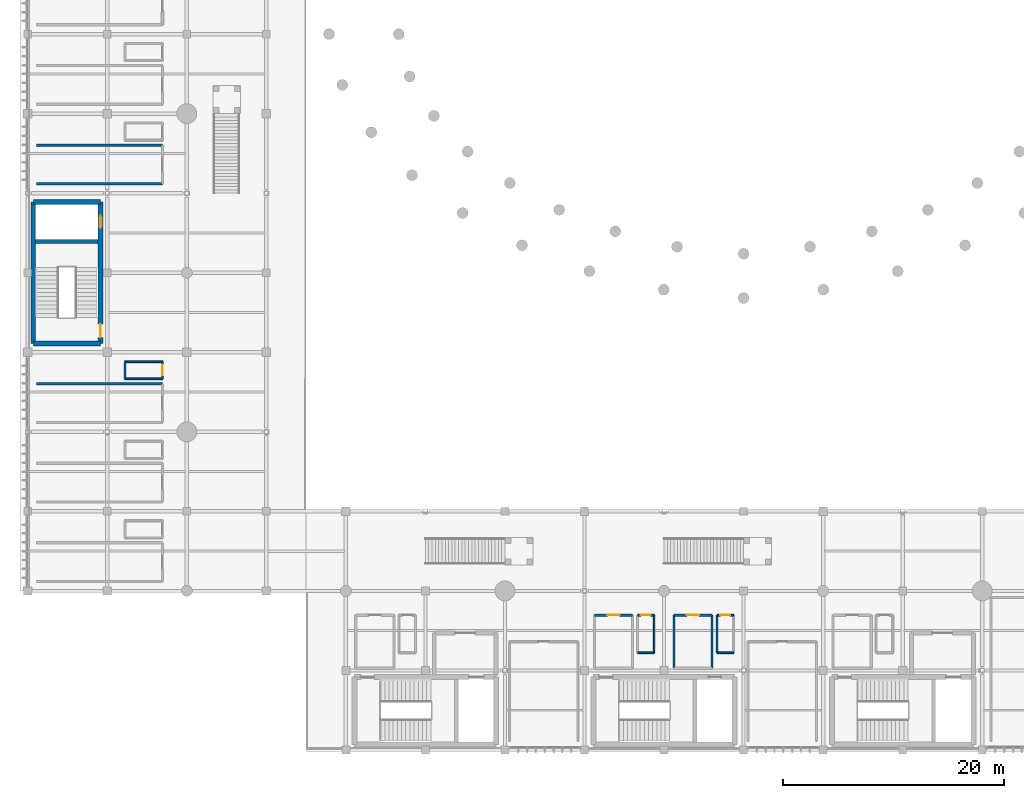
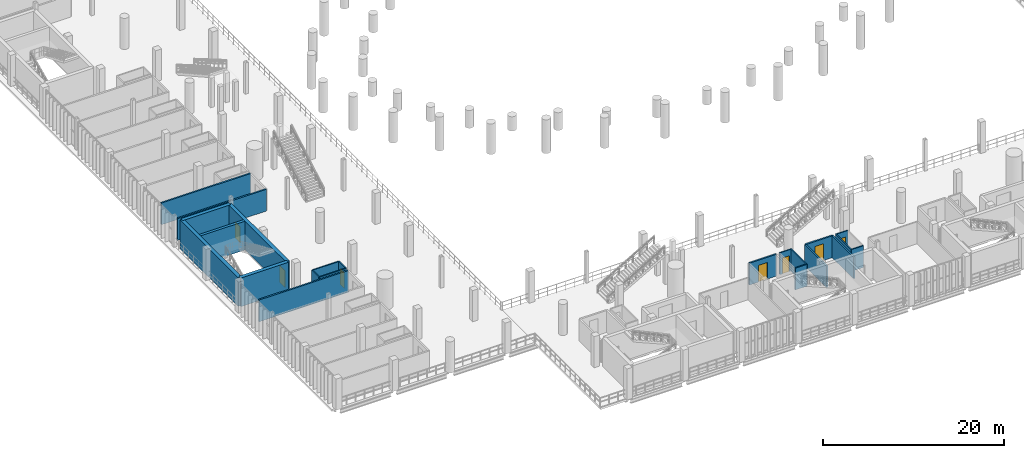
# One storey, part 102 of 130: 22 walls, 7 doors, 7 openings.
"""IFC4 building model written with IfcOpenShell, lengths in metres."""

from ifc_helpers import new_model, si_unit, direction, frame, frame_2d, origin, place, context, subcontext, project, spatial, rectangle, extrude, material, layer, layer_set, type_object, element, fill, save


model = new_model("IFC4")

# Units and contexts
model_context = context("Model", 3, precision=1e-05, world=origin(), true_north=direction((0.0, 1.0)))
body_context = subcontext(model_context, "Body", "Model", "MODEL_VIEW")
ifc_project = project(units=[si_unit("LENGTHUNIT", "METRE"), si_unit("AREAUNIT", "SQUARE_METRE"), si_unit("VOLUMEUNIT", "CUBIC_METRE"), si_unit("PLANEANGLEUNIT", "RADIAN"), si_unit("MASSUNIT", "GRAM", prefix="KILO")], contexts=[model_context])

# Site, building, storey
site_placement = place(None, origin())
site = spatial("IfcSite", under=ifc_project, at=site_placement, CompositionType="ELEMENT")
building_placement = place(site_placement, origin())
building = spatial("IfcBuilding", under=site, at=building_placement, Name="Qandorah Velis Arena", CompositionType="ELEMENT")
storey_placement = place(building_placement, frame((0.0, 0.0, 9.60009765625)))
storey = spatial("IfcBuildingStorey", under=building, at=storey_placement, Name="L02", CompositionType="ELEMENT", Elevation=9.60009765625)

# Walls
ifc_material_1 = material(Name="Concrete C35/45", Category="concrete")
ifc_layer_1 = layer(ifc_material_1, 0.199951171875)
ifc_layer_set_1 = layer_set([ifc_layer_1], Name="Concrete C35/45")
wall_type_1 = type_object("IfcWallType", Name="ARC-WAL-FD60-200", PredefinedType="PARTITIONING", material=ifc_layer_set_1)
for number, where, z_axis, x_axis, name in (
    (1, (12.199951171875, 33.14990234375, 0.0), (0.0, 0.0, 1.0), (-1.0, 0.0, 0.0), "Interior partition L02-HS-03 (N)"),
    (2, (0.800048828125, 51.25, 0.0), (0.0, 0.0, 1.0), (1.0, 0.0, 0.0), "Interior partition L02-HS-04 (S)"),
    (3, (12.199951171875, 54.75, 0.0), (0.0, 0.0, 1.0), (-1.0, 0.0, 0.0), "Interior partition L02-HS-04 (N)"),
):
    element("IfcWall", number, at=place(storey_placement, frame(where, z_axis=z_axis, x_axis=x_axis)), inside=storey, type_object=wall_type_1, Name=name, PredefinedType="PARTITIONING", context=body_context, shape_type="SweptSolid", body=[
        extrude(rectangle(XDim=11.39990234375, YDim=0.199951171875, at=frame_2d((5.699951171875, 0.0))), origin(), (0.0, 0.0, 1.0), 2.93994140625),
    ])

# Wall, opening, door
wall_1_placement = place(storey_placement, frame((54.75, 12.199951171875, 0.0), z_axis=(0.0, 0.0, 1.0), x_axis=(-1.0, 0.0, 0.0)))
wall_1 = element("IfcWall", 4, at=wall_1_placement, inside=storey, type_object=wall_type_1, Name="Interior partition L02-HS-12 (N)", PredefinedType="PARTITIONING", context=body_context, shape_type="SweptSolid", body=[
    extrude(rectangle(XDim=3.449951171875, YDim=0.199951171875, at=frame_2d((1.72509765625, 0.0))), origin(), (0.0, 0.0, 1.0), 2.93994140625),
])
opening_1_placement = place(wall_1_placement, frame((1.175048828125, 0.0, 0.0)))
opening_1 = element("IfcOpeningElement", 5, at=opening_1_placement, cuts=wall_1, Name="Opening D7", PredefinedType="OPENING", context=body_context, shape_type="SweptSolid", body=[
    extrude(rectangle(XDim=1.10009765625, YDim=2.25, at=frame_2d((0.550048828125, 1.125))), frame((0.0, 0.10986328125, 0.0), z_axis=(0.0, -1.0, 0.0), x_axis=(1.0, 0.0, 0.0)), (0.0, 0.0, 1.0), 0.219970703125),
])
ifc_material_2 = material(Name="Hospitality suite acoustic walnut door")
door_type_1 = type_object("IfcDoorType", Name="ARC-DR-INT1100", OperationType="NOTDEFINED", PredefinedType="DOOR", material=ifc_material_2)
door_1_placement = place(opening_1_placement, origin())
door_1 = element("IfcDoor", 6, at=door_1_placement, inside=storey, type_object=door_type_1, Name="Door L02-HS-12", OperationType="SINGLE_SWING_LEFT", OverallHeight=2.25, OverallWidth=1.10009765625, PredefinedType="DOOR", context=body_context, shape_type="SweptSolid", body=[
    extrude(rectangle(XDim=1.10009765625, YDim=2.25, at=frame_2d((0.550048828125, 1.125))), frame((0.0, 0.02490234375, 0.0), z_axis=(0.0, -1.0, 0.0), x_axis=(1.0, 0.0, 0.0)), (0.0, 0.0, 1.0), 0.050048828125),
])
fill(opening_1, door_1)

# Wall
wall_2_placement = place(storey_placement, frame((61.949951171875, 7.39990234375, 0.0), z_axis=(0.0, 0.0, 1.0), x_axis=(0.0, 1.0, 0.0)))
element("IfcWall", 7, at=wall_2_placement, inside=storey, type_object=wall_type_1, Name="Interior partition L02-HS-13 (E)", PredefinedType="PARTITIONING", context=body_context, shape_type="SweptSolid", body=[
    extrude(rectangle(XDim=4.800048828125, YDim=0.199951171875, at=frame_2d((2.39990234375, 0.0))), origin(), (0.0, 0.0, 1.0), 2.93994140625),
])

# Wall, opening, door
wall_3_placement = place(storey_placement, frame((61.949951171875, 12.199951171875, 0.0), z_axis=(0.0, 0.0, 1.0), x_axis=(-1.0, 0.0, 0.0)))
wall_3 = element("IfcWall", 8, at=wall_3_placement, inside=storey, type_object=wall_type_1, Name="Interior partition L02-HS-13 (N)", PredefinedType="PARTITIONING", context=body_context, shape_type="SweptSolid", body=[
    extrude(rectangle(XDim=3.449951171875, YDim=0.199951171875, at=frame_2d((1.72509765625, 0.0))), origin(), (0.0, 0.0, 1.0), 2.93994140625),
])
opening_2_placement = place(wall_3_placement, frame((1.175048828125, 0.0, 0.0)))
opening_2 = element("IfcOpeningElement", 9, at=opening_2_placement, cuts=wall_3, Name="Opening D7", PredefinedType="OPENING", context=body_context, shape_type="SweptSolid", body=[
    extrude(rectangle(XDim=1.10009765625, YDim=2.25, at=frame_2d((0.550048828125, 1.125))), frame((0.0, 0.10986328125, 0.0), z_axis=(0.0, -1.0, 0.0), x_axis=(1.0, 0.0, 0.0)), (0.0, 0.0, 1.0), 0.219970703125),
])
door_2_placement = place(opening_2_placement, origin())
door_2 = element("IfcDoor", 10, at=door_2_placement, inside=storey, type_object=door_type_1, Name="Door L02-HS-13", OperationType="SINGLE_SWING_LEFT", OverallHeight=2.25, OverallWidth=1.10009765625, PredefinedType="DOOR", context=body_context, shape_type="SweptSolid", body=[
    extrude(rectangle(XDim=1.10009765625, YDim=2.25, at=frame_2d((0.550048828125, 1.125))), frame((0.0, 0.02490234375, 0.0), z_axis=(0.0, -1.0, 0.0), x_axis=(1.0, 0.0, 0.0)), (0.0, 0.0, 1.0), 0.050048828125),
])
fill(opening_2, door_2)

# Walls
wall_4_placement = place(storey_placement, frame((58.5, 12.199951171875, 0.0), z_axis=(0.0, 0.0, 1.0), x_axis=(0.0, -1.0, 0.0)))
element("IfcWall", 11, at=wall_4_placement, inside=storey, type_object=wall_type_1, Name="Interior partition L02-HS-13 (W)", PredefinedType="PARTITIONING", context=body_context, shape_type="SweptSolid", body=[
    extrude(rectangle(XDim=4.800048828125, YDim=0.199951171875, at=frame_2d((2.39990234375, 0.0))), origin(), (0.0, 0.0, 1.0), 2.93994140625),
])
ifc_layer_2 = layer(ifc_material_1, 0.14990234375)
ifc_layer_set_2 = layer_set([ifc_layer_2], Name="Concrete C35/45")
wall_type_2 = type_object("IfcWallType", Name="ARC-WAL-PART150", PredefinedType="PARTITIONING", material=ifc_layer_set_2)
wall_5_placement = place(storey_placement, frame((8.800048828125, 33.60009765625, 0.0), z_axis=(0.0, 0.0, 1.0), x_axis=(1.0, 0.0, 0.0)))
element("IfcWall", 12, at=wall_5_placement, inside=storey, type_object=wall_type_2, Name="Interior partition L02-HSWC-03 (S)", PredefinedType="PARTITIONING", context=body_context, shape_type="SweptSolid", body=[
    extrude(rectangle(XDim=3.39990234375, YDim=0.14990234375, at=frame_2d((1.699951171875, 0.0))), origin(), (0.0, 0.0, 1.0), 2.93994140625),
])

# Wall, opening, door
wall_6_placement = place(storey_placement, frame((12.199951171875, 33.60009765625, 0.0), z_axis=(0.0, 0.0, 1.0), x_axis=(0.0, 1.0, 0.0)))
wall_6 = element("IfcWall", 13, at=wall_6_placement, inside=storey, type_object=wall_type_2, Name="Interior partition L02-HSWC-03 (E)", PredefinedType="PARTITIONING", context=body_context, shape_type="SweptSolid", body=[
    extrude(rectangle(XDim=1.5498046875, YDim=0.14990234375, at=frame_2d((0.77490234375, 0.0))), origin(), (0.0, 0.0, 1.0), 2.93994140625),
])
opening_3_placement = place(wall_6_placement, frame((0.324951171875, 0.0, 0.0)))
opening_3 = element("IfcOpeningElement", 14, at=opening_3_placement, cuts=wall_6, Name="Opening D8", PredefinedType="OPENING", context=body_context, shape_type="SweptSolid", body=[
    extrude(rectangle(XDim=0.89990234375, YDim=2.14990234375, at=frame_2d((0.449951171875, 1.074951171875))), frame((0.0, 0.0849609375, 0.0), z_axis=(0.0, -1.0, 0.0), x_axis=(1.0, 0.0, 0.0)), (0.0, 0.0, 1.0), 0.169921875),
])
ifc_material_3 = material(Name="Suite en-suite walnut door")
door_type_2 = type_object("IfcDoorType", Name="ARC-DR-WC900", OperationType="NOTDEFINED", PredefinedType="DOOR", material=ifc_material_3)
door_3_placement = place(opening_3_placement, frame((0.89990234375, 0.0, 0.0), z_axis=(0.0, 0.0, 1.0), x_axis=(-1.0, 0.0, 0.0)))
door_3 = element("IfcDoor", 15, at=door_3_placement, inside=storey, type_object=door_type_2, Name="Door L02-HSWC-03", OperationType="SINGLE_SWING_RIGHT", OverallHeight=2.14990234375, OverallWidth=0.89990234375, PredefinedType="DOOR", context=body_context, shape_type="SweptSolid", body=[
    extrude(rectangle(XDim=0.89990234375, YDim=2.14990234375, at=frame_2d((0.449951171875, 1.074951171875))), frame((0.0, 0.02490234375, 0.0), z_axis=(0.0, -1.0, 0.0), x_axis=(1.0, 0.0, 0.0)), (0.0, 0.0, 1.0), 0.050048828125),
])
fill(opening_3, door_3)

# Walls
wall_7_placement = place(storey_placement, frame((12.199951171875, 35.14990234375, 0.0), z_axis=(0.0, 0.0, 1.0), x_axis=(-1.0, 0.0, 0.0)))
element("IfcWall", 16, at=wall_7_placement, inside=storey, type_object=wall_type_2, Name="Interior partition L02-HSWC-03 (N)", PredefinedType="PARTITIONING", context=body_context, shape_type="SweptSolid", body=[
    extrude(rectangle(XDim=3.39990234375, YDim=0.14990234375, at=frame_2d((1.699951171875, 0.0))), origin(), (0.0, 0.0, 1.0), 2.93994140625),
])
wall_8_placement = place(storey_placement, frame((8.800048828125, 35.14990234375, 0.0), z_axis=(0.0, 0.0, 1.0), x_axis=(0.0, -1.0, 0.0)))
element("IfcWall", 17, at=wall_8_placement, inside=storey, type_object=wall_type_2, Name="Interior partition L02-HSWC-03 (W)", PredefinedType="PARTITIONING", context=body_context, shape_type="SweptSolid", body=[
    extrude(rectangle(XDim=1.5498046875, YDim=0.14990234375, at=frame_2d((0.77490234375, 0.0))), origin(), (0.0, 0.0, 1.0), 2.93994140625),
])
wall_9_placement = place(storey_placement, frame((55.199951171875, 8.800048828125, 0.0), z_axis=(0.0, 0.0, 1.0), x_axis=(1.0, 0.0, 0.0)))
element("IfcWall", 18, at=wall_9_placement, inside=storey, type_object=wall_type_2, Name="Interior partition L02-HSWC-12 (S)", PredefinedType="PARTITIONING", context=body_context, shape_type="SweptSolid", body=[
    extrude(rectangle(XDim=1.5, YDim=0.14990234375, at=frame_2d((0.75, 0.0))), origin(), (0.0, 0.0, 1.0), 2.93994140625),
])
wall_10_placement = place(storey_placement, frame((56.699951171875, 8.800048828125, 0.0), z_axis=(0.0, 0.0, 1.0), x_axis=(0.0, 1.0, 0.0)))
element("IfcWall", 19, at=wall_10_placement, inside=storey, type_object=wall_type_2, Name="Interior partition L02-HSWC-12 (E)", PredefinedType="PARTITIONING", context=body_context, shape_type="SweptSolid", body=[
    extrude(rectangle(XDim=3.39990234375, YDim=0.14990234375, at=frame_2d((1.699951171875, 0.0))), origin(), (0.0, 0.0, 1.0), 2.93994140625),
])

# Wall, opening, door
wall_11_placement = place(storey_placement, frame((56.699951171875, 12.199951171875, 0.0), z_axis=(0.0, 0.0, 1.0), x_axis=(-1.0, 0.0, 0.0)))
wall_11 = element("IfcWall", 20, at=wall_11_placement, inside=storey, type_object=wall_type_2, Name="Interior partition L02-HSWC-12 (N)", PredefinedType="PARTITIONING", context=body_context, shape_type="SweptSolid", body=[
    extrude(rectangle(XDim=1.5, YDim=0.14990234375, at=frame_2d((0.75, 0.0))), origin(), (0.0, 0.0, 1.0), 2.93994140625),
])
opening_4_placement = place(wall_11_placement, frame((0.300048828125, 0.0, 0.0)))
opening_4 = element("IfcOpeningElement", 21, at=opening_4_placement, cuts=wall_11, Name="Opening D8", PredefinedType="OPENING", context=body_context, shape_type="SweptSolid", body=[
    extrude(rectangle(XDim=0.89990234375, YDim=2.14990234375, at=frame_2d((0.449951171875, 1.074951171875))), frame((0.0, 0.0849609375, 0.0), z_axis=(0.0, -1.0, 0.0), x_axis=(1.0, 0.0, 0.0)), (0.0, 0.0, 1.0), 0.169921875),
])
door_4_placement = place(opening_4_placement, frame((0.89990234375, 0.0, 0.0), z_axis=(0.0, 0.0, 1.0), x_axis=(-1.0, 0.0, 0.0)))
door_4 = element("IfcDoor", 22, at=door_4_placement, inside=storey, type_object=door_type_2, Name="Door L02-HSWC-12", OperationType="SINGLE_SWING_RIGHT", OverallHeight=2.14990234375, OverallWidth=0.89990234375, PredefinedType="DOOR", context=body_context, shape_type="SweptSolid", body=[
    extrude(rectangle(XDim=0.89990234375, YDim=2.14990234375, at=frame_2d((0.449951171875, 1.074951171875))), frame((0.0, 0.02490234375, 0.0), z_axis=(0.0, -1.0, 0.0), x_axis=(1.0, 0.0, 0.0)), (0.0, 0.0, 1.0), 0.050048828125),
])
fill(opening_4, door_4)

# Wall
wall_12_placement = place(storey_placement, frame((62.39990234375, 8.800048828125, 0.0), z_axis=(0.0, 0.0, 1.0), x_axis=(1.0, 0.0, 0.0)))
element("IfcWall", 23, at=wall_12_placement, inside=storey, type_object=wall_type_2, Name="Interior partition L02-HSWC-13 (S)", PredefinedType="PARTITIONING", context=body_context, shape_type="SweptSolid", body=[
    extrude(rectangle(XDim=1.5, YDim=0.14990234375, at=frame_2d((0.75, 0.0))), origin(), (0.0, 0.0, 1.0), 2.93994140625),
])

# Wall, opening, door
wall_13_placement = place(storey_placement, frame((63.89990234375, 12.199951171875, 0.0), z_axis=(0.0, 0.0, 1.0), x_axis=(-1.0, 0.0, 0.0)))
wall_13 = element("IfcWall", 24, at=wall_13_placement, inside=storey, type_object=wall_type_2, Name="Interior partition L02-HSWC-13 (N)", PredefinedType="PARTITIONING", context=body_context, shape_type="SweptSolid", body=[
    extrude(rectangle(XDim=1.5, YDim=0.14990234375, at=frame_2d((0.75, 0.0))), origin(), (0.0, 0.0, 1.0), 2.93994140625),
])
opening_5_placement = place(wall_13_placement, frame((0.300048828125, 0.0, 0.0)))
opening_5 = element("IfcOpeningElement", 25, at=opening_5_placement, cuts=wall_13, Name="Opening D8", PredefinedType="OPENING", context=body_context, shape_type="SweptSolid", body=[
    extrude(rectangle(XDim=0.89990234375, YDim=2.14990234375, at=frame_2d((0.449951171875, 1.074951171875))), frame((0.0, 0.0849609375, 0.0), z_axis=(0.0, -1.0, 0.0), x_axis=(1.0, 0.0, 0.0)), (0.0, 0.0, 1.0), 0.169921875),
])
door_5_placement = place(opening_5_placement, frame((0.89990234375, 0.0, 0.0), z_axis=(0.0, 0.0, 1.0), x_axis=(-1.0, 0.0, 0.0)))
door_5 = element("IfcDoor", 26, at=door_5_placement, inside=storey, type_object=door_type_2, Name="Door L02-HSWC-13", OperationType="SINGLE_SWING_RIGHT", OverallHeight=2.14990234375, OverallWidth=0.89990234375, PredefinedType="DOOR", context=body_context, shape_type="SweptSolid", body=[
    extrude(rectangle(XDim=0.89990234375, YDim=2.14990234375, at=frame_2d((0.449951171875, 1.074951171875))), frame((0.0, 0.02490234375, 0.0), z_axis=(0.0, -1.0, 0.0), x_axis=(1.0, 0.0, 0.0)), (0.0, 0.0, 1.0), 0.050048828125),
])
fill(opening_5, door_5)

# Walls
wall_14_placement = place(storey_placement, frame((62.39990234375, 12.199951171875, 0.0), z_axis=(0.0, 0.0, 1.0), x_axis=(0.0, -1.0, 0.0)))
element("IfcWall", 27, at=wall_14_placement, inside=storey, type_object=wall_type_2, Name="Interior partition L02-HSWC-13 (W)", PredefinedType="PARTITIONING", context=body_context, shape_type="SweptSolid", body=[
    extrude(rectangle(XDim=3.39990234375, YDim=0.14990234375, at=frame_2d((1.699951171875, 0.0))), origin(), (0.0, 0.0, 1.0), 2.93994140625),
])
ifc_material_4 = material(Name="Concrete C40/50", Category="concrete")
ifc_layer_3 = layer(ifc_material_4, 0.449951171875)
ifc_layer_set_3 = layer_set([ifc_layer_3], Name="Concrete C40/50")
wall_type_3 = type_object("IfcWallType", Name="STR-WAL-CORE450", PredefinedType="SHEAR", material=ifc_layer_set_3)
for number, where, z_axis, x_axis, name in (
    (28, (0.5, 36.800048828125, 0.0), (0.0, 0.0, 1.0), (1.0, 0.0, 0.0), "Core CORE-05 shear wall S (L02)"),
    (29, (0.5, 49.60009765625, 0.0), (0.0, 0.0, 1.0), (1.0, 0.0, 0.0), "Core CORE-05 shear wall N (L02)"),
):
    element("IfcWall", number, at=place(storey_placement, frame(where, z_axis=z_axis, x_axis=x_axis)), inside=storey, type_object=wall_type_3, Name=name, PredefinedType="SHEAR", context=body_context, shape_type="SweptSolid", body=[
        extrude(rectangle(XDim=6.10009765625, YDim=0.449951171875, at=frame_2d((3.050048828125, 0.0))), origin(), (0.0, 0.0, 1.0), 3.8798828125),
    ])
wall_15_placement = place(storey_placement, frame((0.5, 36.800048828125, 0.0), z_axis=(0.0, 0.0, 1.0), x_axis=(0.0, 1.0, 0.0)))
element("IfcWall", 30, at=wall_15_placement, inside=storey, type_object=wall_type_3, Name="Core CORE-05 shear wall W (L02)", PredefinedType="SHEAR", context=body_context, shape_type="SweptSolid", body=[
    extrude(rectangle(XDim=12.800048828125, YDim=0.449951171875, at=frame_2d((6.39990234375, 0.0))), origin(), (0.0, 0.0, 1.0), 3.8798828125),
])

# Wall, openings, doors
wall_16_placement = place(storey_placement, frame((6.60009765625, 36.800048828125, 0.0), z_axis=(0.0, 0.0, 1.0), x_axis=(0.0, 1.0, 0.0)))
wall_16 = element("IfcWall", 31, at=wall_16_placement, inside=storey, type_object=wall_type_3, Name="Core CORE-05 shear wall E (L02)", PredefinedType="SHEAR", context=body_context, shape_type="SweptSolid", body=[
    extrude(rectangle(XDim=12.800048828125, YDim=0.449951171875, at=frame_2d((6.39990234375, 0.0))), origin(), (0.0, 0.0, 1.0), 3.8798828125),
])
opening_6_placement = place(wall_16_placement, frame((0.550048828125, 0.0, 0.0)))
opening_6 = element("IfcOpeningElement", 32, at=opening_6_placement, cuts=wall_16, Name="Opening SD1", PredefinedType="OPENING", context=body_context, shape_type="SweptSolid", body=[
    extrude(rectangle(XDim=1.199951171875, YDim=2.25, at=frame_2d((0.60009765625, 1.125))), frame((0.0, 0.23486328125, 0.0), z_axis=(0.0, -1.0, 0.0), x_axis=(1.0, 0.0, 0.0)), (0.0, 0.0, 1.0), 0.469970703125),
])
opening_7_placement = place(wall_16_placement, frame((10.4580078125, 0.0, 0.0)))
opening_7 = element("IfcOpeningElement", 33, at=opening_7_placement, cuts=wall_16, Name="Opening LD1", PredefinedType="OPENING", context=body_context, shape_type="SweptSolid", body=[
    extrude(rectangle(XDim=1.10009765625, YDim=2.199951171875, at=frame_2d((0.550048828125, 1.10009765625))), frame((0.0, 0.23486328125, 0.0), z_axis=(0.0, -1.0, 0.0), x_axis=(1.0, 0.0, 0.0)), (0.0, 0.0, 1.0), 0.469970703125),
])
ifc_material_5 = material(Name="Stainless steel sliding lift landing door", Category="steel")
door_type_3 = type_object("IfcDoorType", Name="ARC-DR-LD1100", OperationType="NOTDEFINED", PredefinedType="DOOR", material=ifc_material_5)
door_6_placement = place(opening_7_placement, origin())
door_6 = element("IfcDoor", 34, at=door_6_placement, inside=storey, type_object=door_type_3, Name="Lift PL3 sliding landing door (L02)", OperationType="SLIDING_TO_RIGHT", OverallHeight=2.199951171875, OverallWidth=1.10009765625, PredefinedType="DOOR", context=body_context, shape_type="SweptSolid", body=[
    extrude(rectangle(XDim=1.10009765625, YDim=2.199951171875, at=frame_2d((0.550048828125, 1.10009765625))), frame((0.0, 0.02490234375, 0.0), z_axis=(0.0, -1.0, 0.0), x_axis=(1.0, 0.0, 0.0)), (0.0, 0.0, 1.0), 0.050048828125),
])
fill(opening_7, door_6)
ifc_material_6 = material(Name="Self-closing fire-rated stair steel door", Category="steel")
door_type_4 = type_object("IfcDoorType", Name="ARC-DR-ST1200", OperationType="NOTDEFINED", PredefinedType="DOOR", material=ifc_material_6)
door_7_placement = place(opening_6_placement, origin())
door_7 = element("IfcDoor", 35, at=door_7_placement, inside=storey, type_object=door_type_4, Name="Stair ST5 fire door (L02)", OperationType="SINGLE_SWING_LEFT", OverallHeight=2.25, OverallWidth=1.199951171875, PredefinedType="DOOR", context=body_context, shape_type="SweptSolid", body=[
    extrude(rectangle(XDim=1.199951171875, YDim=2.25, at=frame_2d((0.60009765625, 1.125))), frame((0.0, 0.02490234375, 0.0), z_axis=(0.0, -1.0, 0.0), x_axis=(1.0, 0.0, 0.0)), (0.0, 0.0, 1.0), 0.050048828125),
])
fill(opening_6, door_7)

# Wall
ifc_layer_4 = layer(ifc_material_4, 0.35009765625)
ifc_layer_set_4 = layer_set([ifc_layer_4], Name="Concrete C40/50")
wall_type_4 = type_object("IfcWallType", Name="STR-WAL-SH350", PredefinedType="SHEAR", material=ifc_layer_set_4)
wall_17_placement = place(storey_placement, frame((0.72509765625, 46.01611328125, 0.0), z_axis=(0.0, 0.0, 1.0), x_axis=(1.0, 0.0, 0.0)))
element("IfcWall", 36, at=wall_17_placement, inside=storey, type_object=wall_type_4, Name="Core CORE-05 shaft divider shear wall (L02)", PredefinedType="SHEAR", context=body_context, shape_type="SweptSolid", body=[
    extrude(rectangle(XDim=5.64990234375, YDim=0.35009765625, at=frame_2d((2.824951171875, 0.0))), origin(), (0.0, 0.0, 1.0), 3.8798828125),
])

save(model, "model.ifc")
